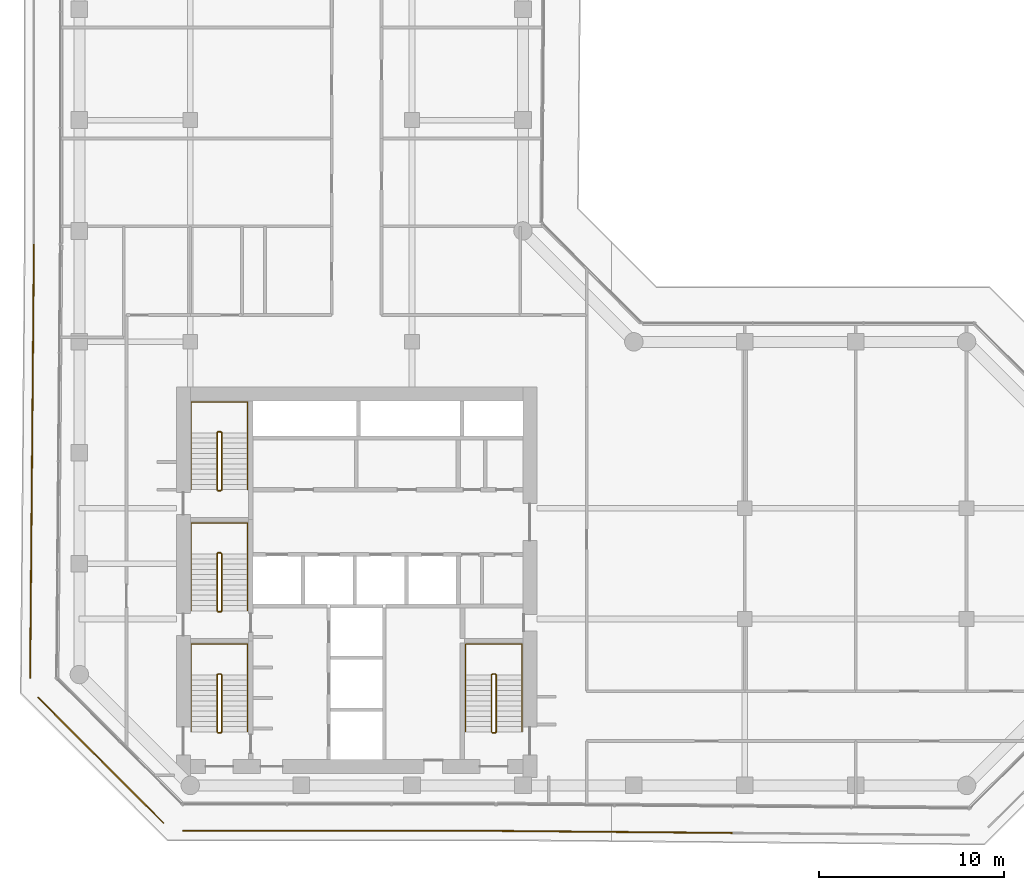
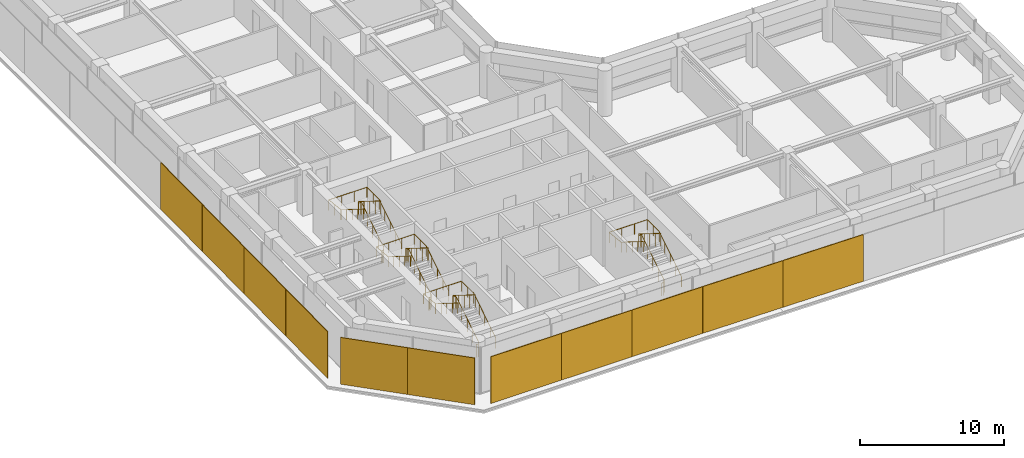
# One storey, part 22 of 23: 11 coverings, 8 railings.
"""IFC4 building model written with IfcOpenShell, lengths in metres."""

from ifc_helpers import new_model, si_unit, direction, frame, origin, origin_2d, place, context, subcontext, project, spatial, rectangle, circle, extrude, material, layer, layer_set, type_object, element, save


model = new_model("IFC4")

# Units and contexts
model_context = context("Model", 3, precision=1e-05, world=origin(), true_north=direction((0.0, 1.0)))
body_context = subcontext(model_context, "Body", "Model", "MODEL_VIEW")
ifc_project = project(units=[si_unit("LENGTHUNIT", "METRE"), si_unit("AREAUNIT", "SQUARE_METRE"), si_unit("VOLUMEUNIT", "CUBIC_METRE"), si_unit("PLANEANGLEUNIT", "RADIAN"), si_unit("MASSUNIT", "GRAM", prefix="KILO")], contexts=[model_context])

# Site, building, storey
site_placement = place(None, origin())
site = spatial("IfcSite", under=ifc_project, at=site_placement, CompositionType="ELEMENT")
building_placement = place(site_placement, origin())
building = spatial("IfcBuilding", under=site, at=building_placement, Name="Welwitschia Terrace Campus", CompositionType="ELEMENT")
storey_placement = place(building_placement, frame((0.0, 0.0, 113.0)))
storey = spatial("IfcBuildingStorey", under=building, at=storey_placement, Name="L25", CompositionType="ELEMENT", Elevation=113.0)

# Coverings
ifc_material_1 = material(Name="Bronze mesh aluminium screen", Category="aluminium")
ifc_layer = layer(ifc_material_1, 0.06005859375)
ifc_layer_set = layer_set([ifc_layer], Name="Bronze mesh aluminium screen")
covering_type = type_object("IfcCoveringType", Name="Bronze screen 60", PredefinedType="USERDEFINED", material=ifc_layer_set)
for number, where, z_axis, x_axis, name in (
    (1, (-2.485595703125, 30.3583984375, 0.0), (0.0, 0.0, 1.0), (-0.008726535498, -0.999961923064, 0.0), "Screen L25.2.0"),
    (2, (-2.536865234375, 24.482666015625, 0.0), (0.0, 0.0, 1.0), (-0.008726535498, -0.999961923064, 0.0), "Screen L25.2.1"),
    (3, (-2.588134765625, 18.60693359375, 0.0), (0.0, 0.0, 1.0), (-0.008726535498, -0.999961923064, 0.0), "Screen L25.2.2"),
    (4, (-2.639404296875, 12.731201171875, 0.0), (0.0, 0.0, 1.0), (-0.008726535498, -0.999961923064, 0.0), "Screen L25.2.3"),
):
    element("IfcCovering", number, at=place(storey_placement, frame(where, z_axis=z_axis, x_axis=x_axis)), inside=storey, type_object=covering_type, Name=name, ObjectType="SCREEN", PredefinedType="USERDEFINED", context=body_context, shape_type="SweptSolid", body=[
        extrude(rectangle(XDim=5.85595703125, YDim=0.06005859375, at=origin_2d()), origin(), (0.0, 0.0, 1.0), 3.949951171875),
    ])
for number, where, z_axis, x_axis, name in (
    (5, (-0.544189453125, 7.0673828125, 0.0), (0.0, 0.0, 1.0), (0.70697469242, -0.707238845283, 0.0), "Screen L25.3.0"),
    (6, (2.85986328125, 3.661865234375, 0.0), (0.0, 0.0, 1.0), (0.70697469242, -0.707238845283, 0.0), "Screen L25.3.1"),
):
    element("IfcCovering", number, at=place(storey_placement, frame(where, z_axis=z_axis, x_axis=x_axis)), inside=storey, type_object=covering_type, Name=name, ObjectType="SCREEN", PredefinedType="USERDEFINED", context=body_context, shape_type="SweptSolid", body=[
        extrude(rectangle(XDim=4.795166015625, YDim=0.06005859375, at=origin_2d()), origin(), (0.0, 0.0, 1.0), 3.949951171875),
    ])
for number, where, z_axis, x_axis, name in (
    (7, (8.40234375, 1.5400390625, 0.0), (0.0, 0.0, 1.0), (1.0, 0.0, 0.0), "Screen L25.4.0"),
    (8, (14.060302734375, 1.5400390625, 0.0), (0.0, 0.0, 1.0), (1.0, 0.0, 0.0), "Screen L25.4.1"),
    (9, (19.718017578125, 1.5400390625, 0.0), (0.0, 0.0, 1.0), (1.0, 0.0, 0.0), "Screen L25.4.2"),
):
    element("IfcCovering", number, at=place(storey_placement, frame(where, z_axis=z_axis, x_axis=x_axis)), inside=storey, type_object=covering_type, Name=name, ObjectType="SCREEN", PredefinedType="USERDEFINED", context=body_context, shape_type="SweptSolid", body=[
        extrude(rectangle(XDim=5.637939453125, YDim=0.06005859375, at=origin_2d()), origin(), (0.0, 0.0, 1.0), 3.949951171875),
    ])
for number, where, z_axis, x_axis, name in (
    (10, (25.736572265625, 1.51220703125, 0.0), (0.0, 0.0, 1.0), (0.999961923064, -0.008726535498, 0.0), "Screen L25.5.0"),
    (11, (32.14013671875, 1.456298828125, 0.0), (0.0, 0.0, 1.0), (0.999961923064, -0.008726535498, 0.0), "Screen L25.5.1"),
):
    element("IfcCovering", number, at=place(storey_placement, frame(where, z_axis=z_axis, x_axis=x_axis)), inside=storey, type_object=covering_type, Name=name, ObjectType="SCREEN", PredefinedType="USERDEFINED", context=body_context, shape_type="SweptSolid", body=[
        extrude(rectangle(XDim=6.384033203125, YDim=0.06005859375, at=origin_2d()), origin(), (0.0, 0.0, 1.0), 3.949951171875),
    ])

# Railings
ifc_material_2 = material(Name="Steel S355", Category="steel")
railing_type_1 = type_object("IfcRailingType", Name="Stair guard 1100", PredefinedType="GUARDRAIL", material=ifc_material_2)
railing_1_placement = place(storey_placement, frame((7.5, 6.85009765625, 0.0)))
element("IfcRailing", 12, at=railing_1_placement, inside=storey, type_object=railing_type_1, Name="L25 S1 stair guard", PredefinedType="GUARDRAIL", context=body_context, shape_type="SweptSolid", body=[
    extrude(circle(Radius=0.02392578125, at=origin_2d()), frame((0.0, 0.0, 1.076171875), z_axis=(1.0, 0.0, 0.0), x_axis=(0.0, 1.0, 0.0)), (0.0, 0.0, 1.0), 0.14990234375),
    extrude(circle(Radius=0.02392578125, at=origin_2d()), frame((0.14990234375, 0.0, 1.076171875), z_axis=(0.265155923931, 0.263862480399, 0.927399011991), x_axis=(-0.705375805398, 0.708833529934, 0.0)), (0.0, 0.0, 1.0), 0.188720703125),
    extrude(circle(Radius=0.02392578125, at=origin_2d()), frame((0.199951171875, 0.0498046875, 1.2509765625), z_axis=(0.0, 0.847998304005, 0.529998940003), x_axis=(-1.0, 0.0, 0.0)), (0.0, 0.0, 1.0), 3.632080078125),
    extrude(circle(Radius=0.02392578125, at=origin_2d()), frame((0.199951171875, 3.1298828125, 3.17626953125), z_axis=(-0.707106781187, 0.707106781187, 0.0), x_axis=(-0.707106781187, -0.707106781187, 0.0)), (0.0, 0.0, 1.0), 0.07080078125),
    extrude(circle(Radius=0.02392578125, at=origin_2d()), frame((0.14990234375, 3.179931640625, 3.17626953125), z_axis=(-1.0, 0.0, 0.0), x_axis=(0.0, -1.0, 0.0)), (0.0, 0.0, 1.0), 0.14990234375),
    extrude(circle(Radius=0.02392578125, at=origin_2d()), frame((0.0, 3.179931640625, 3.17626953125), z_axis=(-0.265383341853, -0.265383341853, 0.926899867156), x_axis=(0.707106781187, -0.707106781187, 0.0)), (0.0, 0.0, 1.0), 0.1884765625),
    extrude(circle(Radius=0.02392578125, at=origin_2d()), frame((-0.050048828125, 3.1298828125, 3.35107421875), z_axis=(0.0, -0.847998304005, 0.529998940003), x_axis=(1.0, 0.0, 0.0)), (0.0, 0.0, 1.0), 3.632080078125),
    extrude(circle(Radius=0.02099609375, at=origin_2d()), origin(), (0.0, 0.0, 1.0), 1.052001953125),
    extrude(circle(Radius=0.02099609375, at=origin_2d()), frame((0.14990234375, 0.0, 0.0)), (0.0, 0.0, 1.0), 1.052001953125),
    extrude(circle(Radius=0.02099609375, at=origin_2d()), frame((0.199951171875, 0.0498046875, 0.175048828125)), (0.0, 0.0, 1.0), 1.052001953125),
    extrude(circle(Radius=0.02099609375, at=origin_2d()), frame((0.199951171875, 0.81982421875, 0.65625)), (0.0, 0.0, 1.0), 1.052001953125),
    extrude(circle(Radius=0.02099609375, at=origin_2d()), frame((0.199951171875, 1.58984375, 1.1376953125)), (0.0, 0.0, 1.0), 1.052001953125),
    extrude(circle(Radius=0.02099609375, at=origin_2d()), frame((0.199951171875, 2.35986328125, 1.618896484375)), (0.0, 0.0, 1.0), 1.052001953125),
    extrude(circle(Radius=0.02099609375, at=origin_2d()), frame((0.199951171875, 3.1298828125, 2.10009765625)), (0.0, 0.0, 1.0), 1.052001953125),
    extrude(circle(Radius=0.02099609375, at=origin_2d()), frame((0.14990234375, 3.179931640625, 2.10009765625)), (0.0, 0.0, 1.0), 1.052001953125),
    extrude(circle(Radius=0.02099609375, at=origin_2d()), frame((0.0, 3.179931640625, 2.10009765625)), (0.0, 0.0, 1.0), 1.052001953125),
    extrude(circle(Radius=0.02099609375, at=origin_2d()), frame((-0.050048828125, 3.1298828125, 2.27490234375)), (0.0, 0.0, 1.0), 1.052001953125),
    extrude(circle(Radius=0.02099609375, at=origin_2d()), frame((-0.050048828125, 2.35986328125, 2.756103515625)), (0.0, 0.0, 1.0), 1.052001953125),
    extrude(circle(Radius=0.02099609375, at=origin_2d()), frame((-0.050048828125, 1.58984375, 3.2373046875)), (0.0, 0.0, 1.0), 1.052001953125),
    extrude(circle(Radius=0.02099609375, at=origin_2d()), frame((-0.050048828125, 0.81982421875, 3.71875)), (0.0, 0.0, 1.0), 1.052001953125),
    extrude(circle(Radius=0.02099609375, at=origin_2d()), frame((-0.050048828125, 0.0498046875, 4.199951171875)), (0.0, 0.0, 1.0), 1.052001953125),
])
railing_2_placement = place(storey_placement, frame((7.5, 13.39990234375, 0.0)))
element("IfcRailing", 13, at=railing_2_placement, inside=storey, type_object=railing_type_1, Name="L25 S3 stair guard", PredefinedType="GUARDRAIL", context=body_context, shape_type="SweptSolid", body=[
    extrude(circle(Radius=0.02392578125, at=origin_2d()), frame((0.0, 0.0, 1.076171875), z_axis=(1.0, 0.0, 0.0), x_axis=(0.0, 1.0, 0.0)), (0.0, 0.0, 1.0), 0.14990234375),
    extrude(circle(Radius=0.02392578125, at=origin_2d()), frame((0.14990234375, 0.0, 1.076171875), z_axis=(0.265065253269, 0.265065253269, 0.927081885822), x_axis=(-0.707106781187, 0.707106781187, 0.0)), (0.0, 0.0, 1.0), 0.188720703125),
    extrude(circle(Radius=0.02392578125, at=origin_2d()), frame((0.199951171875, 0.050048828125, 1.2509765625), z_axis=(0.0, 0.847998304005, 0.529998940003), x_axis=(-1.0, 0.0, 0.0)), (0.0, 0.0, 1.0), 3.632080078125),
    extrude(circle(Radius=0.02392578125, at=origin_2d()), frame((0.199951171875, 3.130126953125, 3.17626953125), z_axis=(-0.707106781187, 0.707106781187, 0.0), x_axis=(-0.707106781187, -0.707106781187, 0.0)), (0.0, 0.0, 1.0), 0.07080078125),
    extrude(circle(Radius=0.02392578125, at=origin_2d()), frame((0.14990234375, 3.18017578125, 3.17626953125), z_axis=(-1.0, 0.0, 0.0), x_axis=(0.0, -1.0, 0.0)), (0.0, 0.0, 1.0), 0.14990234375),
    extrude(circle(Radius=0.02392578125, at=origin_2d()), frame((0.0, 3.18017578125, 3.17626953125), z_axis=(-0.265383341853, -0.265383341853, 0.926899867156), x_axis=(0.707106781187, -0.707106781187, 0.0)), (0.0, 0.0, 1.0), 0.1884765625),
    extrude(circle(Radius=0.02392578125, at=origin_2d()), frame((-0.050048828125, 3.130126953125, 3.35107421875), z_axis=(0.0, -0.847998304005, 0.529998940003), x_axis=(1.0, 0.0, 0.0)), (0.0, 0.0, 1.0), 3.632080078125),
    extrude(circle(Radius=0.02099609375, at=origin_2d()), origin(), (0.0, 0.0, 1.0), 1.052001953125),
    extrude(circle(Radius=0.02099609375, at=origin_2d()), frame((0.14990234375, 0.0, 0.0)), (0.0, 0.0, 1.0), 1.052001953125),
    extrude(circle(Radius=0.02099609375, at=origin_2d()), frame((0.199951171875, 0.050048828125, 0.175048828125)), (0.0, 0.0, 1.0), 1.052001953125),
    extrude(circle(Radius=0.02099609375, at=origin_2d()), frame((0.199951171875, 0.820068359375, 0.65625)), (0.0, 0.0, 1.0), 1.052001953125),
    extrude(circle(Radius=0.02099609375, at=origin_2d()), frame((0.199951171875, 1.590087890625, 1.1376953125)), (0.0, 0.0, 1.0), 1.052001953125),
    extrude(circle(Radius=0.02099609375, at=origin_2d()), frame((0.199951171875, 2.360107421875, 1.618896484375)), (0.0, 0.0, 1.0), 1.052001953125),
    extrude(circle(Radius=0.02099609375, at=origin_2d()), frame((0.199951171875, 3.130126953125, 2.10009765625)), (0.0, 0.0, 1.0), 1.052001953125),
    extrude(circle(Radius=0.02099609375, at=origin_2d()), frame((0.14990234375, 3.18017578125, 2.10009765625)), (0.0, 0.0, 1.0), 1.052001953125),
    extrude(circle(Radius=0.02099609375, at=origin_2d()), frame((0.0, 3.18017578125, 2.10009765625)), (0.0, 0.0, 1.0), 1.052001953125),
    extrude(circle(Radius=0.02099609375, at=origin_2d()), frame((-0.050048828125, 3.130126953125, 2.27490234375)), (0.0, 0.0, 1.0), 1.052001953125),
    extrude(circle(Radius=0.02099609375, at=origin_2d()), frame((-0.050048828125, 2.360107421875, 2.756103515625)), (0.0, 0.0, 1.0), 1.052001953125),
    extrude(circle(Radius=0.02099609375, at=origin_2d()), frame((-0.050048828125, 1.590087890625, 3.2373046875)), (0.0, 0.0, 1.0), 1.052001953125),
    extrude(circle(Radius=0.02099609375, at=origin_2d()), frame((-0.050048828125, 0.820068359375, 3.71875)), (0.0, 0.0, 1.0), 1.052001953125),
    extrude(circle(Radius=0.02099609375, at=origin_2d()), frame((-0.050048828125, 0.050048828125, 4.199951171875)), (0.0, 0.0, 1.0), 1.052001953125),
])
railing_3_placement = place(storey_placement, frame((7.5, 19.949951171875, 0.0)))
element("IfcRailing", 14, at=railing_3_placement, inside=storey, type_object=railing_type_1, Name="L25 S4 stair guard", PredefinedType="GUARDRAIL", context=body_context, shape_type="SweptSolid", body=[
    extrude(circle(Radius=0.02392578125, at=origin_2d()), frame((0.0, 0.0, 1.076171875), z_axis=(1.0, 0.0, 0.0), x_axis=(0.0, 1.0, 0.0)), (0.0, 0.0, 1.0), 0.14990234375),
    extrude(circle(Radius=0.02392578125, at=origin_2d()), frame((0.14990234375, 0.0, 1.076171875), z_axis=(0.265065253269, 0.265065253269, 0.927081885822), x_axis=(-0.707106781187, 0.707106781187, 0.0)), (0.0, 0.0, 1.0), 0.188720703125),
    extrude(circle(Radius=0.02392578125, at=origin_2d()), frame((0.199951171875, 0.050048828125, 1.2509765625), z_axis=(0.0, 0.847998304005, 0.529998940003), x_axis=(-1.0, 0.0, 0.0)), (0.0, 0.0, 1.0), 3.632080078125),
    extrude(circle(Radius=0.02392578125, at=origin_2d()), frame((0.199951171875, 3.130126953125, 3.17626953125), z_axis=(-0.708833529934, 0.705375805398, 0.0), x_axis=(-0.705375805398, -0.708833529934, 0.0)), (0.0, 0.0, 1.0), 0.070556640625),
    extrude(circle(Radius=0.02392578125, at=origin_2d()), frame((0.14990234375, 3.179931640625, 3.17626953125), z_axis=(-1.0, 0.0, 0.0), x_axis=(0.0, -1.0, 0.0)), (0.0, 0.0, 1.0), 0.14990234375),
    extrude(circle(Radius=0.02392578125, at=origin_2d()), frame((0.0, 3.179931640625, 3.17626953125), z_axis=(-0.265474339444, -0.264179342666, 0.927217692888), x_axis=(0.705375805398, -0.708833529934, 0.0)), (0.0, 0.0, 1.0), 0.1884765625),
    extrude(circle(Radius=0.02392578125, at=origin_2d()), frame((-0.050048828125, 3.130126953125, 3.35107421875), z_axis=(0.0, -0.847998304005, 0.529998940003), x_axis=(1.0, 0.0, 0.0)), (0.0, 0.0, 1.0), 3.632080078125),
    extrude(circle(Radius=0.02099609375, at=origin_2d()), origin(), (0.0, 0.0, 1.0), 1.052001953125),
    extrude(circle(Radius=0.02099609375, at=origin_2d()), frame((0.14990234375, 0.0, 0.0)), (0.0, 0.0, 1.0), 1.052001953125),
    extrude(circle(Radius=0.02099609375, at=origin_2d()), frame((0.199951171875, 0.050048828125, 0.175048828125)), (0.0, 0.0, 1.0), 1.052001953125),
    extrude(circle(Radius=0.02099609375, at=origin_2d()), frame((0.199951171875, 0.820068359375, 0.65625)), (0.0, 0.0, 1.0), 1.052001953125),
    extrude(circle(Radius=0.02099609375, at=origin_2d()), frame((0.199951171875, 1.590087890625, 1.1376953125)), (0.0, 0.0, 1.0), 1.052001953125),
    extrude(circle(Radius=0.02099609375, at=origin_2d()), frame((0.199951171875, 2.360107421875, 1.618896484375)), (0.0, 0.0, 1.0), 1.052001953125),
    extrude(circle(Radius=0.02099609375, at=origin_2d()), frame((0.199951171875, 3.130126953125, 2.10009765625)), (0.0, 0.0, 1.0), 1.052001953125),
    extrude(circle(Radius=0.02099609375, at=origin_2d()), frame((0.14990234375, 3.179931640625, 2.10009765625)), (0.0, 0.0, 1.0), 1.052001953125),
    extrude(circle(Radius=0.02099609375, at=origin_2d()), frame((0.0, 3.179931640625, 2.10009765625)), (0.0, 0.0, 1.0), 1.052001953125),
    extrude(circle(Radius=0.02099609375, at=origin_2d()), frame((-0.050048828125, 3.130126953125, 2.27490234375)), (0.0, 0.0, 1.0), 1.052001953125),
    extrude(circle(Radius=0.02099609375, at=origin_2d()), frame((-0.050048828125, 2.360107421875, 2.756103515625)), (0.0, 0.0, 1.0), 1.052001953125),
    extrude(circle(Radius=0.02099609375, at=origin_2d()), frame((-0.050048828125, 1.590087890625, 3.2373046875)), (0.0, 0.0, 1.0), 1.052001953125),
    extrude(circle(Radius=0.02099609375, at=origin_2d()), frame((-0.050048828125, 0.820068359375, 3.71875)), (0.0, 0.0, 1.0), 1.052001953125),
    extrude(circle(Radius=0.02099609375, at=origin_2d()), frame((-0.050048828125, 0.050048828125, 4.199951171875)), (0.0, 0.0, 1.0), 1.052001953125),
])
railing_4_placement = place(storey_placement, frame((22.35009765625, 6.85009765625, 0.0)))
element("IfcRailing", 15, at=railing_4_placement, inside=storey, type_object=railing_type_1, Name="L25 S2 stair guard", PredefinedType="GUARDRAIL", context=body_context, shape_type="SweptSolid", body=[
    extrude(circle(Radius=0.02392578125, at=origin_2d()), frame((0.0, 0.0, 1.076171875), z_axis=(1.0, 0.0, 0.0), x_axis=(0.0, 1.0, 0.0)), (0.0, 0.0, 1.0), 0.14990234375),
    extrude(circle(Radius=0.02392578125, at=origin_2d()), frame((0.14990234375, 0.0, 1.076171875), z_axis=(0.265155923931, 0.263862480399, 0.927399011991), x_axis=(-0.705375805398, 0.708833529934, 0.0)), (0.0, 0.0, 1.0), 0.188720703125),
    extrude(circle(Radius=0.02392578125, at=origin_2d()), frame((0.199951171875, 0.0498046875, 1.2509765625), z_axis=(0.0, 0.847998304005, 0.529998940003), x_axis=(-1.0, 0.0, 0.0)), (0.0, 0.0, 1.0), 3.632080078125),
    extrude(circle(Radius=0.02392578125, at=origin_2d()), frame((0.199951171875, 3.1298828125, 3.17626953125), z_axis=(-0.707106781187, 0.707106781187, 0.0), x_axis=(-0.707106781187, -0.707106781187, 0.0)), (0.0, 0.0, 1.0), 0.07080078125),
    extrude(circle(Radius=0.02392578125, at=origin_2d()), frame((0.14990234375, 3.179931640625, 3.17626953125), z_axis=(-1.0, 0.0, 0.0), x_axis=(0.0, -1.0, 0.0)), (0.0, 0.0, 1.0), 0.14990234375),
    extrude(circle(Radius=0.02392578125, at=origin_2d()), frame((0.0, 3.179931640625, 3.17626953125), z_axis=(-0.265383341853, -0.265383341853, 0.926899867156), x_axis=(0.707106781187, -0.707106781187, 0.0)), (0.0, 0.0, 1.0), 0.1884765625),
    extrude(circle(Radius=0.02392578125, at=origin_2d()), frame((-0.050048828125, 3.1298828125, 3.35107421875), z_axis=(0.0, -0.847998304005, 0.529998940003), x_axis=(1.0, 0.0, 0.0)), (0.0, 0.0, 1.0), 3.632080078125),
    extrude(circle(Radius=0.02099609375, at=origin_2d()), origin(), (0.0, 0.0, 1.0), 1.052001953125),
    extrude(circle(Radius=0.02099609375, at=origin_2d()), frame((0.14990234375, 0.0, 0.0)), (0.0, 0.0, 1.0), 1.052001953125),
    extrude(circle(Radius=0.02099609375, at=origin_2d()), frame((0.199951171875, 0.0498046875, 0.175048828125)), (0.0, 0.0, 1.0), 1.052001953125),
    extrude(circle(Radius=0.02099609375, at=origin_2d()), frame((0.199951171875, 0.81982421875, 0.65625)), (0.0, 0.0, 1.0), 1.052001953125),
    extrude(circle(Radius=0.02099609375, at=origin_2d()), frame((0.199951171875, 1.58984375, 1.1376953125)), (0.0, 0.0, 1.0), 1.052001953125),
    extrude(circle(Radius=0.02099609375, at=origin_2d()), frame((0.199951171875, 2.35986328125, 1.618896484375)), (0.0, 0.0, 1.0), 1.052001953125),
    extrude(circle(Radius=0.02099609375, at=origin_2d()), frame((0.199951171875, 3.1298828125, 2.10009765625)), (0.0, 0.0, 1.0), 1.052001953125),
    extrude(circle(Radius=0.02099609375, at=origin_2d()), frame((0.14990234375, 3.179931640625, 2.10009765625)), (0.0, 0.0, 1.0), 1.052001953125),
    extrude(circle(Radius=0.02099609375, at=origin_2d()), frame((0.0, 3.179931640625, 2.10009765625)), (0.0, 0.0, 1.0), 1.052001953125),
    extrude(circle(Radius=0.02099609375, at=origin_2d()), frame((-0.050048828125, 3.1298828125, 2.27490234375)), (0.0, 0.0, 1.0), 1.052001953125),
    extrude(circle(Radius=0.02099609375, at=origin_2d()), frame((-0.050048828125, 2.35986328125, 2.756103515625)), (0.0, 0.0, 1.0), 1.052001953125),
    extrude(circle(Radius=0.02099609375, at=origin_2d()), frame((-0.050048828125, 1.58984375, 3.2373046875)), (0.0, 0.0, 1.0), 1.052001953125),
    extrude(circle(Radius=0.02099609375, at=origin_2d()), frame((-0.050048828125, 0.81982421875, 3.71875)), (0.0, 0.0, 1.0), 1.052001953125),
    extrude(circle(Radius=0.02099609375, at=origin_2d()), frame((-0.050048828125, 0.0498046875, 4.199951171875)), (0.0, 0.0, 1.0), 1.052001953125),
])
ifc_material_3 = material(Name="Steel S355", Category="steel")
railing_type_2 = type_object("IfcRailingType", Name="Stair handrail 900", PredefinedType="HANDRAIL", material=ifc_material_3)
railing_5_placement = place(storey_placement, frame((9.10009765625, 6.89990234375, 0.175048828125)))
element("IfcRailing", 16, at=railing_5_placement, inside=storey, type_object=railing_type_2, Name="L25 S1 stair handrail", PredefinedType="HANDRAIL", context=body_context, shape_type="SweptSolid", body=[
    extrude(circle(Radius=0.02392578125, at=origin_2d()), frame((0.0, 0.0, 0.8759765625), z_axis=(0.0, 0.847998304005, 0.529998940003), x_axis=(-1.0, 0.0, 0.0)), (0.0, 0.0, 1.0), 3.632080078125),
    extrude(circle(Radius=0.02392578125, at=origin_2d()), frame((0.0, 3.080078125, 2.80078125), z_axis=(0.0, 1.0, 0.0), x_axis=(-1.0, 0.0, 0.0)), (0.0, 0.0, 1.0), 1.669921875),
    extrude(circle(Radius=0.02392578125, at=origin_2d()), frame((0.0, 4.75, 2.80078125), z_axis=(-1.0, 0.0, 0.0), x_axis=(0.0, -1.0, 0.0)), (0.0, 0.0, 1.0), 3.050048828125),
    extrude(circle(Radius=0.02392578125, at=origin_2d()), frame((-3.050048828125, 4.75, 2.80078125), z_axis=(0.0, -0.994565838508, 0.104109523446), x_axis=(1.0, 0.0, 0.0)), (0.0, 0.0, 1.0), 1.678955078125),
    extrude(circle(Radius=0.02392578125, at=origin_2d()), frame((-3.050048828125, 3.080078125, 2.9755859375), z_axis=(0.0, -0.847998304005, 0.529998940003), x_axis=(1.0, 0.0, 0.0)), (0.0, 0.0, 1.0), 3.632080078125),
    extrude(circle(Radius=0.02099609375, at=origin_2d()), origin(), (0.0, 0.0, 1.0), 0.851806640625),
    extrude(circle(Radius=0.02099609375, at=origin_2d()), frame((0.0, 0.77001953125, 0.481201171875)), (0.0, 0.0, 1.0), 0.851806640625),
    extrude(circle(Radius=0.02099609375, at=origin_2d()), frame((0.0, 1.5400390625, 0.96240234375)), (0.0, 0.0, 1.0), 0.851806640625),
    extrude(circle(Radius=0.02099609375, at=origin_2d()), frame((0.0, 2.31005859375, 1.44384765625)), (0.0, 0.0, 1.0), 0.851806640625),
    extrude(circle(Radius=0.02099609375, at=origin_2d()), frame((0.0, 3.080078125, 1.925048828125)), (0.0, 0.0, 1.0), 0.851806640625),
    extrude(circle(Radius=0.02099609375, at=origin_2d()), frame((0.0, 3.9150390625, 1.925048828125)), (0.0, 0.0, 1.0), 0.851806640625),
    extrude(circle(Radius=0.02099609375, at=origin_2d()), frame((0.0, 4.75, 1.925048828125)), (0.0, 0.0, 1.0), 0.851806640625),
    extrude(circle(Radius=0.02099609375, at=origin_2d()), frame((-1.0166015625, 4.75, 1.925048828125)), (0.0, 0.0, 1.0), 0.851806640625),
    extrude(circle(Radius=0.02099609375, at=origin_2d()), frame((-2.033447265625, 4.75, 1.925048828125)), (0.0, 0.0, 1.0), 0.851806640625),
    extrude(circle(Radius=0.02099609375, at=origin_2d()), frame((-3.050048828125, 4.75, 1.925048828125)), (0.0, 0.0, 1.0), 0.851806640625),
    extrude(circle(Radius=0.02099609375, at=origin_2d()), frame((-3.050048828125, 3.9150390625, 2.012451171875)), (0.0, 0.0, 1.0), 0.851806640625),
    extrude(circle(Radius=0.02099609375, at=origin_2d()), frame((-3.050048828125, 3.080078125, 2.099853515625)), (0.0, 0.0, 1.0), 0.851806640625),
    extrude(circle(Radius=0.02099609375, at=origin_2d()), frame((-3.050048828125, 2.31005859375, 2.5810546875)), (0.0, 0.0, 1.0), 0.851806640625),
    extrude(circle(Radius=0.02099609375, at=origin_2d()), frame((-3.050048828125, 1.5400390625, 3.0625)), (0.0, 0.0, 1.0), 0.851806640625),
    extrude(circle(Radius=0.02099609375, at=origin_2d()), frame((-3.050048828125, 0.77001953125, 3.543701171875)), (0.0, 0.0, 1.0), 0.851806640625),
    extrude(circle(Radius=0.02099609375, at=origin_2d()), frame((-3.050048828125, 0.0, 4.02490234375)), (0.0, 0.0, 1.0), 0.851806640625),
])
railing_6_placement = place(storey_placement, frame((9.10009765625, 13.449951171875, 0.175048828125)))
element("IfcRailing", 17, at=railing_6_placement, inside=storey, type_object=railing_type_2, Name="L25 S3 stair handrail", PredefinedType="HANDRAIL", context=body_context, shape_type="SweptSolid", body=[
    extrude(circle(Radius=0.02392578125, at=origin_2d()), frame((0.0, 0.0, 0.8759765625), z_axis=(0.0, 0.847998304005, 0.529998940003), x_axis=(-1.0, 0.0, 0.0)), (0.0, 0.0, 1.0), 3.632080078125),
    extrude(circle(Radius=0.02392578125, at=origin_2d()), frame((0.0, 3.080078125, 2.80078125), z_axis=(0.0, 1.0, 0.0), x_axis=(-1.0, 0.0, 0.0)), (0.0, 0.0, 1.0), 1.669921875),
    extrude(circle(Radius=0.02392578125, at=origin_2d()), frame((0.0, 4.75, 2.80078125), z_axis=(-1.0, 0.0, 0.0), x_axis=(0.0, -1.0, 0.0)), (0.0, 0.0, 1.0), 3.050048828125),
    extrude(circle(Radius=0.02392578125, at=origin_2d()), frame((-3.050048828125, 4.75, 2.80078125), z_axis=(0.0, -0.994565838508, 0.104109523446), x_axis=(1.0, 0.0, 0.0)), (0.0, 0.0, 1.0), 1.678955078125),
    extrude(circle(Radius=0.02392578125, at=origin_2d()), frame((-3.050048828125, 3.080078125, 2.9755859375), z_axis=(0.0, -0.847998304005, 0.529998940003), x_axis=(1.0, 0.0, 0.0)), (0.0, 0.0, 1.0), 3.632080078125),
    extrude(circle(Radius=0.02099609375, at=origin_2d()), origin(), (0.0, 0.0, 1.0), 0.851806640625),
    extrude(circle(Radius=0.02099609375, at=origin_2d()), frame((0.0, 0.77001953125, 0.481201171875)), (0.0, 0.0, 1.0), 0.851806640625),
    extrude(circle(Radius=0.02099609375, at=origin_2d()), frame((0.0, 1.5400390625, 0.96240234375)), (0.0, 0.0, 1.0), 0.851806640625),
    extrude(circle(Radius=0.02099609375, at=origin_2d()), frame((0.0, 2.31005859375, 1.44384765625)), (0.0, 0.0, 1.0), 0.851806640625),
    extrude(circle(Radius=0.02099609375, at=origin_2d()), frame((0.0, 3.080078125, 1.925048828125)), (0.0, 0.0, 1.0), 0.851806640625),
    extrude(circle(Radius=0.02099609375, at=origin_2d()), frame((0.0, 3.9150390625, 1.925048828125)), (0.0, 0.0, 1.0), 0.851806640625),
    extrude(circle(Radius=0.02099609375, at=origin_2d()), frame((0.0, 4.75, 1.925048828125)), (0.0, 0.0, 1.0), 0.851806640625),
    extrude(circle(Radius=0.02099609375, at=origin_2d()), frame((-1.0166015625, 4.75, 1.925048828125)), (0.0, 0.0, 1.0), 0.851806640625),
    extrude(circle(Radius=0.02099609375, at=origin_2d()), frame((-2.033447265625, 4.75, 1.925048828125)), (0.0, 0.0, 1.0), 0.851806640625),
    extrude(circle(Radius=0.02099609375, at=origin_2d()), frame((-3.050048828125, 4.75, 1.925048828125)), (0.0, 0.0, 1.0), 0.851806640625),
    extrude(circle(Radius=0.02099609375, at=origin_2d()), frame((-3.050048828125, 3.9150390625, 2.012451171875)), (0.0, 0.0, 1.0), 0.851806640625),
    extrude(circle(Radius=0.02099609375, at=origin_2d()), frame((-3.050048828125, 3.080078125, 2.099853515625)), (0.0, 0.0, 1.0), 0.851806640625),
    extrude(circle(Radius=0.02099609375, at=origin_2d()), frame((-3.050048828125, 2.31005859375, 2.5810546875)), (0.0, 0.0, 1.0), 0.851806640625),
    extrude(circle(Radius=0.02099609375, at=origin_2d()), frame((-3.050048828125, 1.5400390625, 3.0625)), (0.0, 0.0, 1.0), 0.851806640625),
    extrude(circle(Radius=0.02099609375, at=origin_2d()), frame((-3.050048828125, 0.77001953125, 3.543701171875)), (0.0, 0.0, 1.0), 0.851806640625),
    extrude(circle(Radius=0.02099609375, at=origin_2d()), frame((-3.050048828125, 0.0, 4.02490234375)), (0.0, 0.0, 1.0), 0.851806640625),
])
railing_7_placement = place(storey_placement, frame((9.10009765625, 20.0, 0.175048828125)))
element("IfcRailing", 18, at=railing_7_placement, inside=storey, type_object=railing_type_2, Name="L25 S4 stair handrail", PredefinedType="HANDRAIL", context=body_context, shape_type="SweptSolid", body=[
    extrude(circle(Radius=0.02392578125, at=origin_2d()), frame((0.0, 0.0, 0.8759765625), z_axis=(0.0, 0.847998304005, 0.529998940003), x_axis=(-1.0, 0.0, 0.0)), (0.0, 0.0, 1.0), 3.632080078125),
    extrude(circle(Radius=0.02392578125, at=origin_2d()), frame((0.0, 3.080078125, 2.80078125), z_axis=(0.0, 1.0, 0.0), x_axis=(-1.0, 0.0, 0.0)), (0.0, 0.0, 1.0), 1.669921875),
    extrude(circle(Radius=0.02392578125, at=origin_2d()), frame((0.0, 4.75, 2.80078125), z_axis=(-1.0, 0.0, 0.0), x_axis=(0.0, -1.0, 0.0)), (0.0, 0.0, 1.0), 3.050048828125),
    extrude(circle(Radius=0.02392578125, at=origin_2d()), frame((-3.050048828125, 4.75, 2.80078125), z_axis=(0.0, -0.994565838508, 0.104109523446), x_axis=(1.0, 0.0, 0.0)), (0.0, 0.0, 1.0), 1.678955078125),
    extrude(circle(Radius=0.02392578125, at=origin_2d()), frame((-3.050048828125, 3.080078125, 2.9755859375), z_axis=(0.0, -0.847998304005, 0.529998940003), x_axis=(1.0, 0.0, 0.0)), (0.0, 0.0, 1.0), 3.632080078125),
    extrude(circle(Radius=0.02099609375, at=origin_2d()), origin(), (0.0, 0.0, 1.0), 0.851806640625),
    extrude(circle(Radius=0.02099609375, at=origin_2d()), frame((0.0, 0.77001953125, 0.481201171875)), (0.0, 0.0, 1.0), 0.851806640625),
    extrude(circle(Radius=0.02099609375, at=origin_2d()), frame((0.0, 1.5400390625, 0.96240234375)), (0.0, 0.0, 1.0), 0.851806640625),
    extrude(circle(Radius=0.02099609375, at=origin_2d()), frame((0.0, 2.31005859375, 1.44384765625)), (0.0, 0.0, 1.0), 0.851806640625),
    extrude(circle(Radius=0.02099609375, at=origin_2d()), frame((0.0, 3.080078125, 1.925048828125)), (0.0, 0.0, 1.0), 0.851806640625),
    extrude(circle(Radius=0.02099609375, at=origin_2d()), frame((0.0, 3.9150390625, 1.925048828125)), (0.0, 0.0, 1.0), 0.851806640625),
    extrude(circle(Radius=0.02099609375, at=origin_2d()), frame((0.0, 4.75, 1.925048828125)), (0.0, 0.0, 1.0), 0.851806640625),
    extrude(circle(Radius=0.02099609375, at=origin_2d()), frame((-1.0166015625, 4.75, 1.925048828125)), (0.0, 0.0, 1.0), 0.851806640625),
    extrude(circle(Radius=0.02099609375, at=origin_2d()), frame((-2.033447265625, 4.75, 1.925048828125)), (0.0, 0.0, 1.0), 0.851806640625),
    extrude(circle(Radius=0.02099609375, at=origin_2d()), frame((-3.050048828125, 4.75, 1.925048828125)), (0.0, 0.0, 1.0), 0.851806640625),
    extrude(circle(Radius=0.02099609375, at=origin_2d()), frame((-3.050048828125, 3.9150390625, 2.012451171875)), (0.0, 0.0, 1.0), 0.851806640625),
    extrude(circle(Radius=0.02099609375, at=origin_2d()), frame((-3.050048828125, 3.080078125, 2.099853515625)), (0.0, 0.0, 1.0), 0.851806640625),
    extrude(circle(Radius=0.02099609375, at=origin_2d()), frame((-3.050048828125, 2.31005859375, 2.5810546875)), (0.0, 0.0, 1.0), 0.851806640625),
    extrude(circle(Radius=0.02099609375, at=origin_2d()), frame((-3.050048828125, 1.5400390625, 3.0625)), (0.0, 0.0, 1.0), 0.851806640625),
    extrude(circle(Radius=0.02099609375, at=origin_2d()), frame((-3.050048828125, 0.77001953125, 3.543701171875)), (0.0, 0.0, 1.0), 0.851806640625),
    extrude(circle(Radius=0.02099609375, at=origin_2d()), frame((-3.050048828125, 0.0, 4.02490234375)), (0.0, 0.0, 1.0), 0.851806640625),
])
railing_8_placement = place(storey_placement, frame((23.949951171875, 6.89990234375, 0.175048828125)))
element("IfcRailing", 19, at=railing_8_placement, inside=storey, type_object=railing_type_2, Name="L25 S2 stair handrail", PredefinedType="HANDRAIL", context=body_context, shape_type="SweptSolid", body=[
    extrude(circle(Radius=0.02392578125, at=origin_2d()), frame((0.0, 0.0, 0.8759765625), z_axis=(0.0, 0.847998304005, 0.529998940003), x_axis=(-1.0, 0.0, 0.0)), (0.0, 0.0, 1.0), 3.632080078125),
    extrude(circle(Radius=0.02392578125, at=origin_2d()), frame((0.0, 3.080078125, 2.80078125), z_axis=(0.0, 1.0, 0.0), x_axis=(-1.0, 0.0, 0.0)), (0.0, 0.0, 1.0), 1.669921875),
    extrude(circle(Radius=0.02392578125, at=origin_2d()), frame((0.0, 4.75, 2.80078125), z_axis=(-1.0, 0.0, 0.0), x_axis=(0.0, -1.0, 0.0)), (0.0, 0.0, 1.0), 3.050048828125),
    extrude(circle(Radius=0.02392578125, at=origin_2d()), frame((-3.050048828125, 4.75, 2.80078125), z_axis=(0.0, -0.994565838508, 0.104109523446), x_axis=(1.0, 0.0, 0.0)), (0.0, 0.0, 1.0), 1.678955078125),
    extrude(circle(Radius=0.02392578125, at=origin_2d()), frame((-3.050048828125, 3.080078125, 2.9755859375), z_axis=(0.0, -0.847998304005, 0.529998940003), x_axis=(1.0, 0.0, 0.0)), (0.0, 0.0, 1.0), 3.632080078125),
    extrude(circle(Radius=0.02099609375, at=origin_2d()), origin(), (0.0, 0.0, 1.0), 0.851806640625),
    extrude(circle(Radius=0.02099609375, at=origin_2d()), frame((0.0, 0.77001953125, 0.481201171875)), (0.0, 0.0, 1.0), 0.851806640625),
    extrude(circle(Radius=0.02099609375, at=origin_2d()), frame((0.0, 1.5400390625, 0.96240234375)), (0.0, 0.0, 1.0), 0.851806640625),
    extrude(circle(Radius=0.02099609375, at=origin_2d()), frame((0.0, 2.31005859375, 1.44384765625)), (0.0, 0.0, 1.0), 0.851806640625),
    extrude(circle(Radius=0.02099609375, at=origin_2d()), frame((0.0, 3.080078125, 1.925048828125)), (0.0, 0.0, 1.0), 0.851806640625),
    extrude(circle(Radius=0.02099609375, at=origin_2d()), frame((0.0, 3.9150390625, 1.925048828125)), (0.0, 0.0, 1.0), 0.851806640625),
    extrude(circle(Radius=0.02099609375, at=origin_2d()), frame((0.0, 4.75, 1.925048828125)), (0.0, 0.0, 1.0), 0.851806640625),
    extrude(circle(Radius=0.02099609375, at=origin_2d()), frame((-1.0166015625, 4.75, 1.925048828125)), (0.0, 0.0, 1.0), 0.851806640625),
    extrude(circle(Radius=0.02099609375, at=origin_2d()), frame((-2.033447265625, 4.75, 1.925048828125)), (0.0, 0.0, 1.0), 0.851806640625),
    extrude(circle(Radius=0.02099609375, at=origin_2d()), frame((-3.050048828125, 4.75, 1.925048828125)), (0.0, 0.0, 1.0), 0.851806640625),
    extrude(circle(Radius=0.02099609375, at=origin_2d()), frame((-3.050048828125, 3.9150390625, 2.012451171875)), (0.0, 0.0, 1.0), 0.851806640625),
    extrude(circle(Radius=0.02099609375, at=origin_2d()), frame((-3.050048828125, 3.080078125, 2.099853515625)), (0.0, 0.0, 1.0), 0.851806640625),
    extrude(circle(Radius=0.02099609375, at=origin_2d()), frame((-3.050048828125, 2.31005859375, 2.5810546875)), (0.0, 0.0, 1.0), 0.851806640625),
    extrude(circle(Radius=0.02099609375, at=origin_2d()), frame((-3.050048828125, 1.5400390625, 3.0625)), (0.0, 0.0, 1.0), 0.851806640625),
    extrude(circle(Radius=0.02099609375, at=origin_2d()), frame((-3.050048828125, 0.77001953125, 3.543701171875)), (0.0, 0.0, 1.0), 0.851806640625),
    extrude(circle(Radius=0.02099609375, at=origin_2d()), frame((-3.050048828125, 0.0, 4.02490234375)), (0.0, 0.0, 1.0), 0.851806640625),
])

save(model, "model.ifc")
